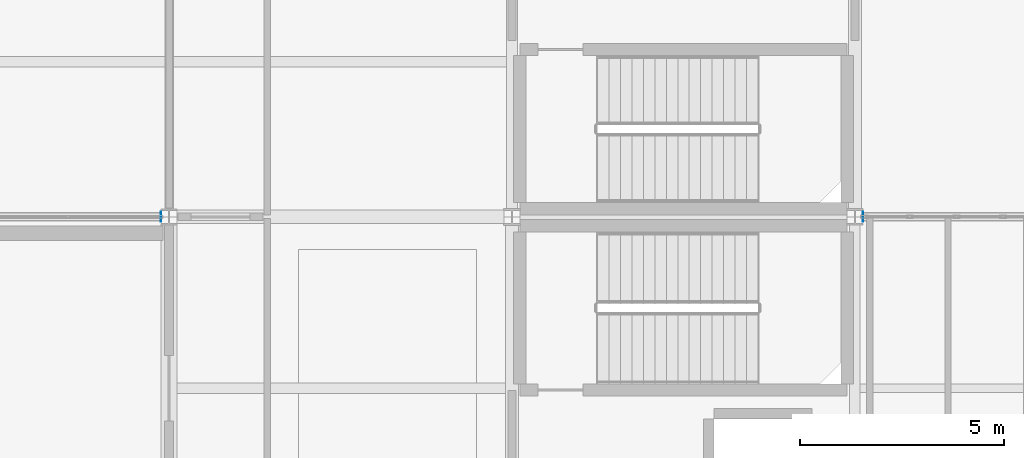
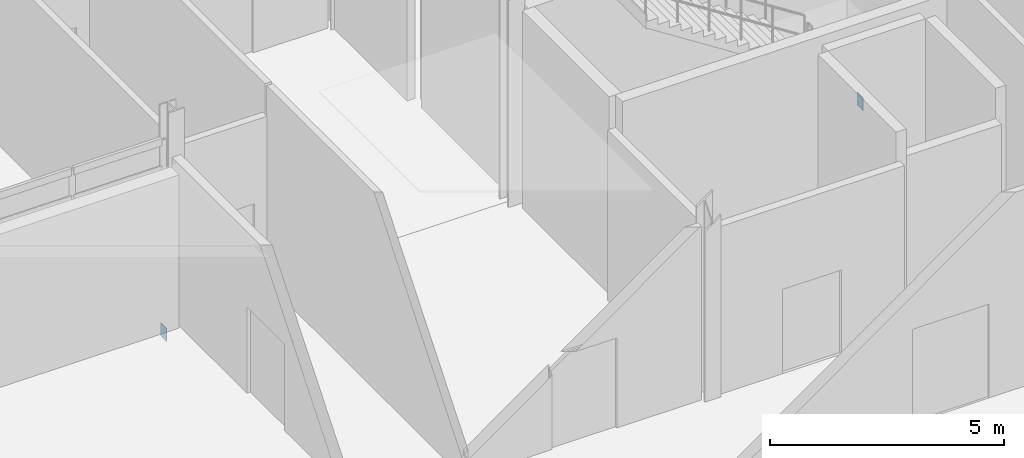
# One storey, part 161 of 229: 2 plates.
"""IFC4 building model written with IfcOpenShell, lengths in metres."""

import ifcopenshell
import ifcopenshell.guid

model = None  # the IFC model being written
_history = None  # IfcOwnerHistory: only IFC2X3 demands one
_inside = {}  # id of a spatial element -> (the spatial element, [elements in it])
_under = {}  # id of a project, library or spatial element -> (it, [spatial elements below it])
_declared = {}  # id of a project -> (the project, [libraries it declares])
_typed = {}  # id of a type object -> (the type object, [elements of that type])
_made_of = {}  # id of a material, layer set ... -> (it, [elements and type objects made of it])


def new_model(schema):
    """Start an empty IFC model of exactly this schema.

    Asked for "IFC4X3", IfcOpenShell would pick the latest addendum, in which some entities
    have other attributes; the version numbers below select the first issue.
    IFC2X3 requires an IfcOwnerHistory on every rooted entity: one is made here for all.
    """
    global model, _history
    if schema == "IFC4X3":
        model = ifcopenshell.file(schema_version=(4, 3, 0, 0))
    else:
        model = ifcopenshell.file(schema=schema)
    _inside.clear()
    _under.clear()
    _declared.clear()
    _typed.clear()
    _made_of.clear()
    _history = None
    if model.schema == "IFC2X3":
        org = make("IfcOrganization", Name="unknown")
        user = make(
            "IfcPersonAndOrganization",
            ThePerson=make("IfcPerson", FamilyName="unknown"),
            TheOrganization=org,
        )
        app = make(
            "IfcApplication",
            ApplicationDeveloper=org,
            Version="unknown",
            ApplicationFullName="unknown",
            ApplicationIdentifier="unknown",
        )
        _history = make(
            "IfcOwnerHistory",
            OwningUser=user,
            OwningApplication=app,
            ChangeAction="ADDED",
            CreationDate=0,
        )
    return model


def make(cls, **values):
    """One entity of the class cls with the attributes given. An attribute that is None is left unset."""
    return model.create_entity(
        cls, **{name: value for name, value in values.items() if value is not None}
    )


def rooted(cls, **values):
    """An entity with a GlobalId (a new one), such as an element, a storey or a relation."""
    return make(cls, GlobalId=ifcopenshell.guid.new(), OwnerHistory=_history, **values)


def si_unit(unit_type, name, prefix=None):
    """IfcSIUnit, for example si_unit("LENGTHUNIT", "METRE", prefix="MILLI")."""
    return make("IfcSIUnit", UnitType=unit_type, Prefix=prefix, Name=name)


def assignment(units):
    """IfcUnitAssignment: the units of a project."""
    return None if units is None else make("IfcUnitAssignment", Units=units)


def point(xyz):
    """IfcCartesianPoint."""
    return None if xyz is None else make("IfcCartesianPoint", Coordinates=xyz)


def direction(xyz):
    """IfcDirection."""
    return None if xyz is None else make("IfcDirection", DirectionRatios=xyz)


def frame(location, z_axis=None, x_axis=None):
    """IfcAxis2Placement3D, a coordinate frame: its origin and axes. An axis left out is left unset."""
    return make(
        "IfcAxis2Placement3D",
        Location=point(location),
        Axis=direction(z_axis),
        RefDirection=direction(x_axis),
    )


def frame_2d(location, x_axis=None):
    """IfcAxis2Placement2D, a coordinate frame in the plane: its origin and x axis."""
    return make(
        "IfcAxis2Placement2D", Location=point(location), RefDirection=direction(x_axis)
    )


def origin():
    """The frame at (0, 0, 0) with its axes left unset."""
    return frame((0.0, 0.0, 0.0))


def origin_2d():
    """The frame at (0, 0) in the plane with its x axis left unset."""
    return frame_2d((0.0, 0.0))


def place(relative_to, where):
    """IfcLocalPlacement: puts the frame where relative to a parent placement (None: the world)."""
    return make(
        "IfcLocalPlacement", PlacementRelTo=relative_to, RelativePlacement=where
    )


def context(
    kind, dimensions, precision=None, world=None, true_north=None, identifier=None
):
    """IfcGeometricRepresentationContext, for example the 3D "Model" context."""
    return make(
        "IfcGeometricRepresentationContext",
        ContextIdentifier=identifier,
        ContextType=kind,
        CoordinateSpaceDimension=dimensions,
        Precision=precision,
        WorldCoordinateSystem=world,
        TrueNorth=true_north,
    )


def subcontext(parent, identifier, kind, view, scale=None):
    """IfcGeometricRepresentationSubContext, for example "Body" below "Model"."""
    return make(
        "IfcGeometricRepresentationSubContext",
        ContextIdentifier=identifier,
        ContextType=kind,
        ParentContext=parent,
        TargetScale=scale,
        TargetView=view,
    )


def project(units=None, contexts=None):
    """IfcProject with its units and contexts."""
    return rooted(
        "IfcProject",
        Name="project",
        RepresentationContexts=contexts,
        UnitsInContext=assignment(units),
    )


def spatial(cls, under=None, at=None, **own):
    """A site, building, storey or space (cls), placed at a placement, below another one or the project."""
    s = rooted(cls, ObjectPlacement=at, **own)
    if under is not None:
        _under.setdefault(under.id(), (under, []))[1].append(s)
    return s


def profile(cls, at=None, kind="AREA", **sizes):
    """A parametric profile (cls). Its sizes go by their IFC names, for example OverallWidth=200.0."""
    return make(cls, ProfileType=kind, Position=at, **sizes)


def rectangle(**sizes):
    """IfcRectangleProfileDef."""
    return profile("IfcRectangleProfileDef", **sizes)


def extrude(swept, where, along, depth):
    """IfcExtrudedAreaSolid: the profile swept, set in the frame where, extruded along a direction by depth."""
    return make(
        "IfcExtrudedAreaSolid",
        SweptArea=swept,
        Position=where,
        ExtrudedDirection=direction(along),
        Depth=depth,
    )


def shape(context_of_items, identifier, shape_type, items):
    """IfcShapeRepresentation: the items that make up one representation, for example the "Body"."""
    return make(
        "IfcShapeRepresentation",
        ContextOfItems=context_of_items,
        RepresentationIdentifier=identifier,
        RepresentationType=shape_type,
        Items=items,
    )


def material(Name=None, Category=None):
    """IfcMaterial."""
    return make("IfcMaterial", Name=Name, Category=Category)


def layer(
    of_material, thickness, ventilated=None, Name=None, Category=None, Priority=None
):
    """IfcMaterialLayer: one layer of a wall or slab, of a material (None: an air gap)."""
    return make(
        "IfcMaterialLayer",
        Material=of_material,
        LayerThickness=thickness,
        IsVentilated=ventilated,
        Name=Name,
        Category=Category,
        Priority=Priority,
    )


def layer_set(layers, Name=None):
    """IfcMaterialLayerSet."""
    return make("IfcMaterialLayerSet", MaterialLayers=layers, LayerSetName=Name)


def made_of(thing, what):
    """Note that an element or type object is made of a material, layer set ...; save() writes the relation."""
    if what is not None:
        _made_of.setdefault(what.id(), (what, []))[1].append(thing)
    return thing


def type_object(cls, material=None, **own):
    """A type object (cls), such as IfcWallType, which elements share."""
    return made_of(rooted(cls, **own), material)


def element(
    cls,
    number,
    at=None,
    inside=None,
    cuts=None,
    type_object=None,
    material=None,
    context=None,
    identifier="Body",
    shape_type=None,
    held_by="IfcProductDefinitionShape",
    body=None,
    shapes=None,
    **own,
):
    """One element of the class cls, such as IfcWall. Its Tag is "e" and its number.

    at: its placement. inside: the storey or other place that contains it. cuts: it is an
    opening in that element (IfcRelVoidsElement). A single representation is given by context,
    identifier, shape_type and body (its items); several are given by shapes. held_by: the class
    of the entity that holds the representations. save() writes the other relations.
    """
    e = rooted(cls, Tag="e%d" % number, ObjectPlacement=at, **own)
    if body is not None:
        shapes = [shape(context, identifier, shape_type, body)]
    if shapes is not None:
        e.Representation = make(held_by, Representations=shapes)
    if inside is not None:
        _inside.setdefault(inside.id(), (inside, []))[1].append(e)
    if cuts is not None:
        rooted(
            "IfcRelVoidsElement", RelatingBuildingElement=cuts, RelatedOpeningElement=e
        )
    if type_object is not None:
        _typed.setdefault(type_object.id(), (type_object, []))[1].append(e)
    return made_of(e, material)


def aggregate(whole, parts):
    """IfcRelAggregates: a whole, such as a stair, and the parts it consists of."""
    return rooted("IfcRelAggregates", RelatingObject=whole, RelatedObjects=parts)


def save(model, path):
    """Write the relations noted so far, then the file.

    IfcRelAggregates (storeys below a building ...), IfcRelContainedInSpatialStructure (elements
    in a storey), IfcRelDefinesByType, IfcRelAssociatesMaterial and IfcRelDeclares: one each for
    every whole, place, type object, material and project.
    """
    for whole, parts in _under.values():
        aggregate(whole, parts)
    for where, things in _inside.values():
        rooted(
            "IfcRelContainedInSpatialStructure",
            RelatedElements=things,
            RelatingStructure=where,
        )
    for kind, things in _typed.values():
        rooted("IfcRelDefinesByType", RelatedObjects=things, RelatingType=kind)
    for what, things in _made_of.values():
        rooted("IfcRelAssociatesMaterial", RelatedObjects=things, RelatingMaterial=what)
    for by, libraries in _declared.values():
        rooted("IfcRelDeclares", RelatingContext=by, RelatedDefinitions=libraries)
    model.write(path)


model = new_model("IFC4")

# Units and contexts
model_context = context("Model", 3, precision=1e-05, world=origin(), true_north=direction((0.0, 1.0)))
body_context = subcontext(model_context, "Body", "Model", "MODEL_VIEW")
ifc_project = project(units=[si_unit("LENGTHUNIT", "METRE"), si_unit("AREAUNIT", "SQUARE_METRE"), si_unit("VOLUMEUNIT", "CUBIC_METRE"), si_unit("PLANEANGLEUNIT", "RADIAN"), si_unit("MASSUNIT", "GRAM", prefix="KILO")], contexts=[model_context])

# Site, building, storey
site_placement = place(None, origin())
site = spatial("IfcSite", under=ifc_project, at=site_placement, CompositionType="ELEMENT")
building_placement = place(site_placement, origin())
building = spatial("IfcBuilding", under=site, at=building_placement, Name="Calvrana Isthmian Art Gallery", CompositionType="ELEMENT")
storey_placement = place(building_placement, origin())
storey = spatial("IfcBuildingStorey", under=building, at=storey_placement, Name="L00", CompositionType="ELEMENT", Elevation=0.0)

# Plates
ifc_material = material(Name="Steel ASTM A572 Gr 50", Category="steel")
ifc_layer = layer(ifc_material, 0.01611328125, Name="Steel ASTM A572 Gr 50")
ifc_layer_set = layer_set([ifc_layer], Name="Steel ASTM A572 Gr 50")
plate_type = type_object("IfcPlateType", Name="PL-CAP-16", PredefinedType="SHEET", material=ifc_layer_set)
for number, where, z_axis, x_axis, name in (
    (1, (21.400390625, 46.800048828125, -0.60986328125), (0.0, 0.0, 1.0), (1.0, 0.0, 0.0), "Hollow section end cap plate 384"),
    (2, (38.599609375, 46.800048828125, -0.60986328125), (0.0, 0.0, 1.0), (1.0, 0.0, 0.0), "Hollow section end cap plate 385"),
):
    element("IfcPlate", number, at=place(storey_placement, frame(where, z_axis=z_axis, x_axis=x_axis)), inside=storey, type_object=plate_type, Name=name, PredefinedType="SHEET", context=body_context, shape_type="SweptSolid", body=[
        extrude(rectangle(XDim=0.01611328125, YDim=0.2431640625, at=origin_2d()), origin(), (0.0, 0.0, 1.0), 0.3447265625),
    ])

save(model, "model.ifc")
